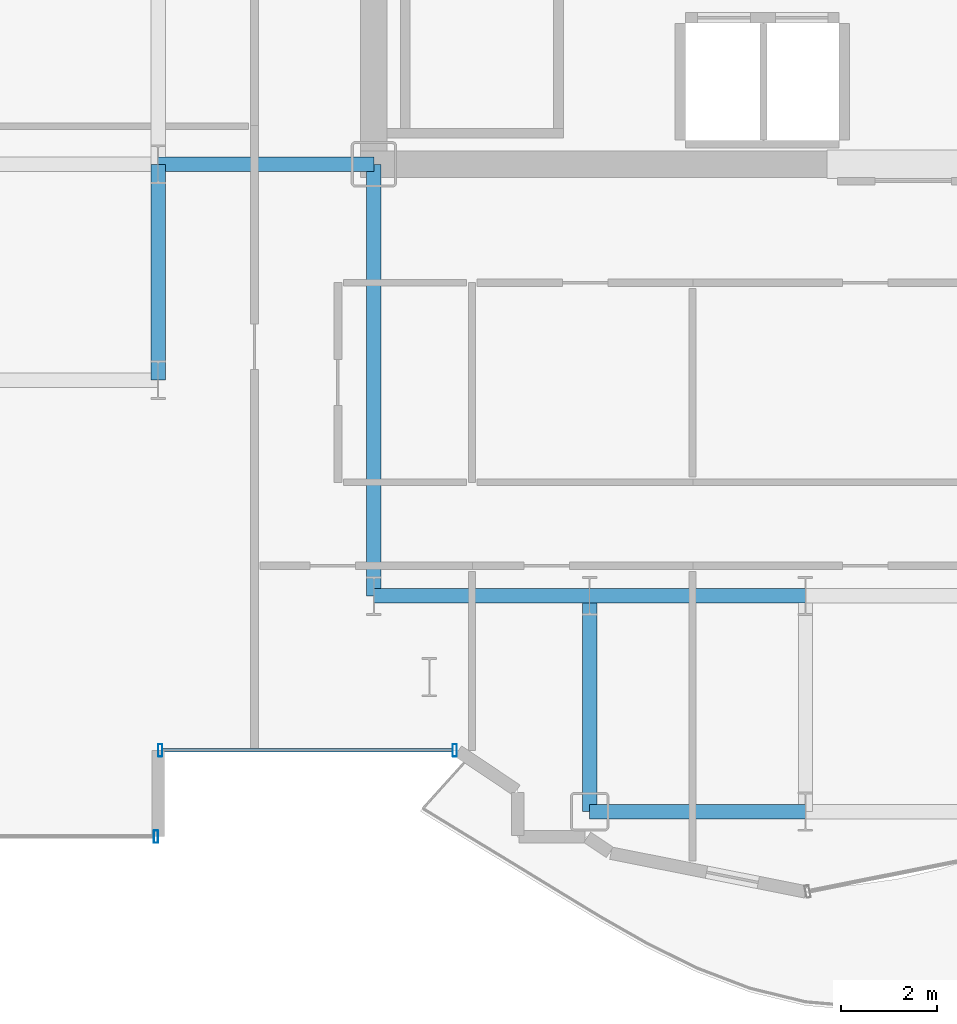
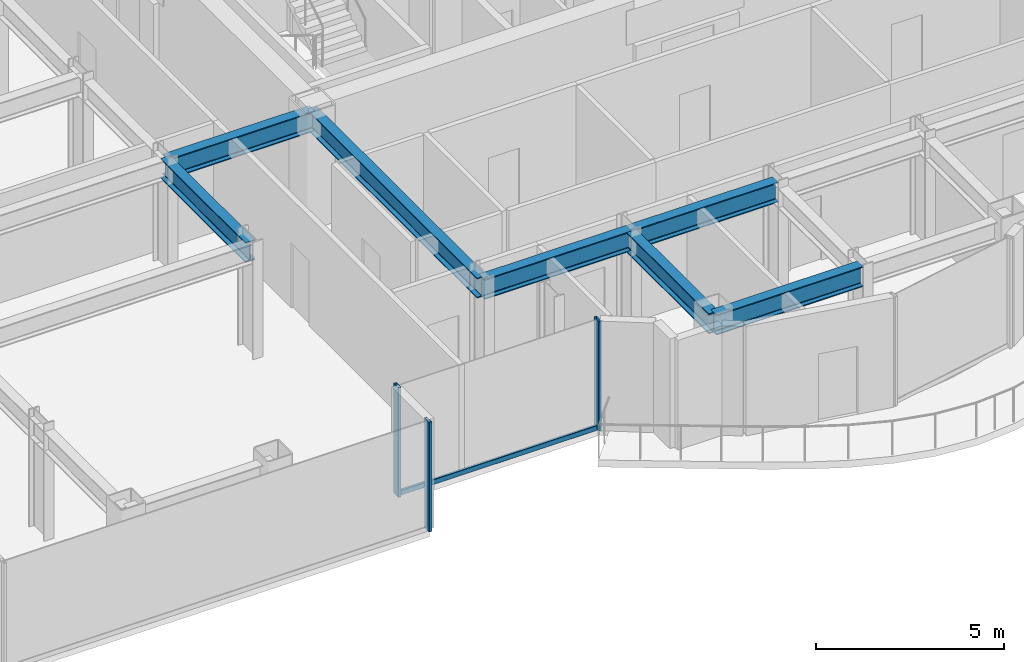
# One storey, part 5 of 27: 7 beams, 4 members, 2 elements without a shape of their own.
"""IFC4 building model written with IfcOpenShell, lengths in metres."""

from ifc_helpers import new_model, si_unit, direction, frame, origin, origin_2d, place, context, subcontext, project, spatial, hollow_rectangle, i_section, extrude, source, transform, mapped, material, layer, layer_set, material_profile, profile_set, type_object, element, aggregate, save


model = new_model("IFC4")

# Units and contexts
model_context = context("Model", 3, precision=1e-05, world=origin(), true_north=direction((0.0, 1.0)))
body_context = subcontext(model_context, "Body", "Model", "MODEL_VIEW")
ifc_project = project(units=[si_unit("LENGTHUNIT", "METRE"), si_unit("AREAUNIT", "SQUARE_METRE"), si_unit("VOLUMEUNIT", "CUBIC_METRE"), si_unit("PLANEANGLEUNIT", "RADIAN"), si_unit("MASSUNIT", "GRAM", prefix="KILO")], contexts=[model_context])

# Site, building, storey
site_placement = place(None, origin())
site = spatial("IfcSite", under=ifc_project, at=site_placement, CompositionType="ELEMENT")
building_placement = place(site_placement, origin())
building = spatial("IfcBuilding", under=site, at=building_placement, Name="Nefas-Gora Pilgrimage Tower", CompositionType="ELEMENT")
storey_placement = place(building_placement, frame((0.0, 0.0, 148.800048828125)))
storey = spatial("IfcBuildingStorey", under=building, at=storey_placement, Name="L36", CompositionType="ELEMENT", Elevation=148.800048828125)

# Beams
ifc_material_1 = material(Name="Steel S355", Category="steel")
ifc_material_profile_1 = material_profile(ifc_material_1, i_section(OverallWidth=0.300048828125, OverallDepth=0.64990234375, WebThickness=0.01611328125, FlangeThickness=0.031005859375, FilletRadius=0.027099609375, at=origin_2d()), Name="HEB 650")
ifc_profile_set_1 = profile_set([ifc_material_profile_1], Name="Steel S355")
beam_type = type_object("IfcBeamType", Name="BM-GIR-HEB650", PredefinedType="BEAM", material=ifc_profile_set_1)
shared_shape_1 = source(origin(), body_context, "Body", "SweptSolid", [
    extrude(i_section(OverallWidth=0.300048828125, OverallDepth=0.64990234375, WebThickness=0.01611328125, FlangeThickness=0.031005859375, FilletRadius=0.027099609375, at=origin_2d()), origin(), (0.0, 0.0, 1.0), 9.0),
])
beam_placement = place(storey_placement, frame((-11.25, -18.0, 3.224853515625), z_axis=(0.0, 1.0, 0.0), x_axis=(-1.0, 0.0, 0.0)))
element("IfcBeam", 1, at=beam_placement, inside=storey, type_object=beam_type, Name="L36 G-03 beam", PredefinedType="BEAM", context=body_context, shape_type="MappedRepresentation", body=[
    mapped(shared_shape_1, transform((0.0, 0.0, 0.0), x_axis=(1.0, 0.0, 0.0), y_axis=(0.0, 1.0, 0.0), z_axis=(0.0, 0.0, 1.0), scale=1.0)),
])
shared_shape_2 = source(origin(), body_context, "Body", "SweptSolid", [
    extrude(i_section(OverallWidth=0.300048828125, OverallDepth=0.64990234375, WebThickness=0.01611328125, FlangeThickness=0.031005859375, FilletRadius=0.027099609375, at=origin_2d()), origin(), (0.0, 0.0, 1.0), 4.5),
])
for number, where, z_axis, x_axis, name in (
    (2, (-15.75, -13.5, 3.224853515625), (0.0, 1.0, 0.0), (-1.0, 0.0, 0.0), "L36 G-03 beam"),
    (3, (-15.75, -9.0, 3.224853515625), (1.0, 0.0, 0.0), (0.0, 1.0, 0.0), "L36 G-03 beam"),
    (4, (-11.25, -18.0, 3.224853515625), (1.0, 0.0, 0.0), (0.0, 1.0, 0.0), "L36 G-03 beam"),
    (5, (-6.75, -22.5, 3.224853515625), (0.0, 1.0, 0.0), (-1.0, 0.0, 0.0), "L36 G-03 beam"),
    (6, (-6.75, -22.5, 3.224853515625), (1.0, 0.0, 0.0), (0.0, 1.0, 0.0), "L36 G-03 beam"),
    (7, (-6.75, -18.0, 3.224853515625), (1.0, 0.0, 0.0), (0.0, 1.0, 0.0), "L36 G-03 beam"),
):
    element("IfcBeam", number, at=place(storey_placement, frame(where, z_axis=z_axis, x_axis=x_axis)), inside=storey, type_object=beam_type, Name=name, PredefinedType="BEAM", context=body_context, shape_type="MappedRepresentation", body=[
        mapped(shared_shape_2, transform((0.0, 0.0, 0.0), x_axis=(1.0, 0.0, 0.0), y_axis=(0.0, 1.0, 0.0), z_axis=(0.0, 0.0, 1.0), scale=1.0)),
    ])

# Curtain wall, members
ifc_material_2 = material(Name="Dark ceramic-fritted solar-control aluminium-glass curtain wall", Category="aluminium")
ifc_layer_1 = layer(ifc_material_2, 0.219970703125)
ifc_layer_set_1 = layer_set([ifc_layer_1], Name="Dark ceramic-fritted solar-control aluminium-glass curtain wall")
curtain_wall_type_1 = type_object("IfcCurtainWallType", Name="CW-SYS-5", PredefinedType="NOTDEFINED", material=ifc_layer_set_1)
curtain_wall_1_placement = place(storey_placement, origin())
curtain_wall_1 = element("IfcCurtainWall", 8, at=curtain_wall_1_placement, inside=storey, type_object=curtain_wall_type_1, Name="L36 Unitised Curtain Wall CW5", PredefinedType="NOTDEFINED")
ifc_material_3 = material(Name="Anodised architectural aluminium", Category="aluminium")
ifc_material_profile_2 = material_profile(ifc_material_3, hollow_rectangle(XDim=0.090087890625, YDim=0.260009765625, WallThickness=0.006103515625, InnerFilletRadius=0.006103515625, OuterFilletRadius=0.011962890625, at=origin_2d()), Name="ALU MULLION 90x260")
ifc_profile_set_2 = profile_set([ifc_material_profile_2], Name="Anodised architectural aluminium")
member_type_1 = type_object("IfcMemberType", Name="CWM-MUL-5", PredefinedType="MULLION", material=ifc_profile_set_2)
shared_shape_3 = source(origin(), body_context, "Body", "SweptSolid", [
    extrude(hollow_rectangle(XDim=0.090087890625, YDim=0.260009765625, WallThickness=0.006103515625, InnerFilletRadius=0.006103515625, OuterFilletRadius=0.011962890625, at=origin_2d()), origin(), (0.0, 0.0, 1.0), 3.550048828125),
])
member_1_placement = place(storey_placement, frame((-15.705078125, -21.219970703125, 0.0), z_axis=(0.0, 0.0, 1.0), x_axis=(1.0, 0.0, 0.0)))
member_1 = element("IfcMember", 9, at=member_1_placement, type_object=member_type_1, Name="CW5 Mullion 1", PredefinedType="MULLION", context=body_context, shape_type="MappedRepresentation", body=[
    mapped(shared_shape_3, transform((0.0, 0.0, 0.0), x_axis=(1.0, 0.0, 0.0), y_axis=(0.0, 1.0, 0.0), z_axis=(0.0, 0.0, 1.0), scale=1.0)),
])
member_2_placement = place(storey_placement, frame((-9.56298828125, -21.219970703125, 0.0), z_axis=(0.0, 0.0, 1.0), x_axis=(1.0, 0.0, 0.0)))
member_2 = element("IfcMember", 10, at=member_2_placement, type_object=member_type_1, Name="CW5 Mullion 2", PredefinedType="MULLION", context=body_context, shape_type="MappedRepresentation", body=[
    mapped(shared_shape_3, transform((0.0, 0.0, 0.0), x_axis=(1.0, 0.0, 0.0), y_axis=(0.0, 1.0, 0.0), z_axis=(0.0, 0.0, 1.0), scale=1.0)),
])
ifc_material_profile_3 = material_profile(ifc_material_3, hollow_rectangle(XDim=0.080078125, YDim=0.159912109375, WallThickness=0.00439453125, InnerFilletRadius=0.00439453125, OuterFilletRadius=0.009033203125, at=origin_2d()), Name="ALU TRANSOM 80x160")
ifc_profile_set_3 = profile_set([ifc_material_profile_3], Name="Anodised architectural aluminium")
member_type_2 = type_object("IfcMemberType", Name="CWM-TRN-5", PredefinedType="USERDEFINED", material=ifc_profile_set_3)
shared_shape_4 = source(origin(), body_context, "Body", "SweptSolid", [
    extrude(hollow_rectangle(XDim=0.080078125, YDim=0.159912109375, WallThickness=0.00439453125, InnerFilletRadius=0.00439453125, OuterFilletRadius=0.009033203125, at=origin_2d()), origin(), (0.0, 0.0, 1.0), 6.052001953125),
])
member_3_placement = place(storey_placement, frame((-15.659912109375, -21.219970703125, 0.050048828125), z_axis=(1.0, 0.0, 0.0), x_axis=(0.0, 1.0, 0.0)))
member_3 = element("IfcMember", 11, at=member_3_placement, type_object=member_type_2, Name="CW5 Spandrel Transom", ObjectType="TRANSOM", PredefinedType="USERDEFINED", context=body_context, shape_type="MappedRepresentation", body=[
    mapped(shared_shape_4, transform((0.0, 0.0, 0.0), x_axis=(1.0, 0.0, 0.0), y_axis=(0.0, 1.0, 0.0), z_axis=(0.0, 0.0, 1.0), scale=1.0)),
])
aggregate(curtain_wall_1, [member_1, member_2, member_3])

# Curtain wall, member
ifc_layer_2 = layer(ifc_material_2, 0.219970703125)
ifc_layer_set_2 = layer_set([ifc_layer_2], Name="Dark ceramic-fritted solar-control aluminium-glass curtain wall")
curtain_wall_type_2 = type_object("IfcCurtainWallType", Name="CW-SYS-3", PredefinedType="NOTDEFINED", material=ifc_layer_set_2)
curtain_wall_2_placement = place(storey_placement, origin())
curtain_wall_2 = element("IfcCurtainWall", 12, at=curtain_wall_2_placement, inside=storey, type_object=curtain_wall_type_2, Name="L36 Unitised Curtain Wall CW3", PredefinedType="NOTDEFINED")
ifc_material_profile_4 = material_profile(ifc_material_3, hollow_rectangle(XDim=0.090087890625, YDim=0.260009765625, WallThickness=0.006103515625, InnerFilletRadius=0.006103515625, OuterFilletRadius=0.011962890625, at=origin_2d()), Name="ALU MULLION 90x260")
ifc_profile_set_4 = profile_set([ifc_material_profile_4], Name="Anodised architectural aluminium")
member_type_3 = type_object("IfcMemberType", Name="CWM-MUL-3", PredefinedType="MULLION", material=ifc_profile_set_4)
shared_shape_5 = source(origin(), body_context, "Body", "SweptSolid", [
    extrude(hollow_rectangle(XDim=0.090087890625, YDim=0.260009765625, WallThickness=0.006103515625, InnerFilletRadius=0.006103515625, OuterFilletRadius=0.011962890625, at=origin_2d()), origin(), (0.0, 0.0, 1.0), 3.550048828125),
])
member_4_placement = place(storey_placement, frame((-15.794921875, -23.02001953125, 0.0), z_axis=(0.0, 0.0, 1.0), x_axis=(1.0, 0.0, 0.0)))
member_4 = element("IfcMember", 13, at=member_4_placement, type_object=member_type_3, Name="CW3 Mullion 2", PredefinedType="MULLION", context=body_context, shape_type="MappedRepresentation", body=[
    mapped(shared_shape_5, transform((0.0, 0.0, 0.0), x_axis=(1.0, 0.0, 0.0), y_axis=(0.0, 1.0, 0.0), z_axis=(0.0, 0.0, 1.0), scale=1.0)),
])
aggregate(curtain_wall_2, [member_4])

save(model, "model.ifc")
